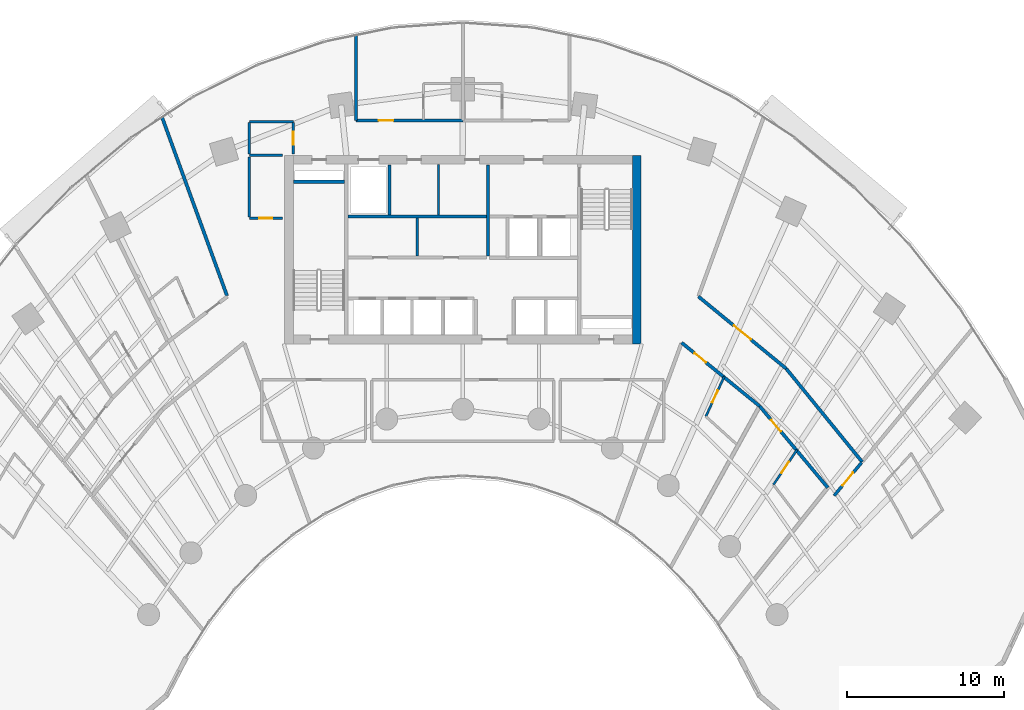
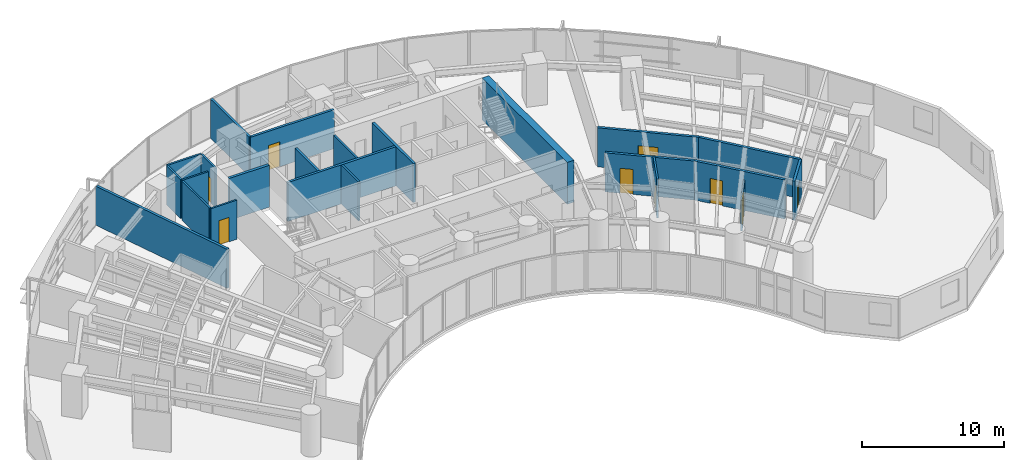
# One storey, part 13 of 17: 23 walls, 9 doors, 9 openings.
"""IFC4 building model written with IfcOpenShell, lengths in metres."""

from ifc_helpers import new_model, si_unit, direction, frame, frame_2d, origin, place, context, subcontext, project, spatial, rectangle, extrude, source, transform, mapped, material, layer, layer_set, type_object, type_shapes, element, fill, save


model = new_model("IFC4")

# Units and contexts
model_context = context("Model", 3, precision=1e-05, world=origin(), true_north=direction((0.0, 1.0)))
body_context = subcontext(model_context, "Body", "Model", "MODEL_VIEW")
ifc_project = project(units=[si_unit("LENGTHUNIT", "METRE"), si_unit("AREAUNIT", "SQUARE_METRE"), si_unit("VOLUMEUNIT", "CUBIC_METRE"), si_unit("PLANEANGLEUNIT", "RADIAN"), si_unit("MASSUNIT", "GRAM", prefix="KILO")], contexts=[model_context])

# Site, building, storey
site_placement = place(None, origin())
site = spatial("IfcSite", under=ifc_project, at=site_placement, CompositionType="ELEMENT")
building_placement = place(site_placement, origin())
building = spatial("IfcBuilding", under=site, at=building_placement, Name="Breltana Convention Tower", CompositionType="ELEMENT")
storey_placement = place(building_placement, frame((0.0, 0.0, 71.39990234375)))
storey = spatial("IfcBuildingStorey", under=building, at=storey_placement, Name="L16", CompositionType="ELEMENT", Elevation=71.39990234375)

# Walls
ifc_material_1 = material(Name="Concrete C60/75", Category="concrete")
ifc_layer_1 = layer(ifc_material_1, 0.550048828125, Name="Concrete C60/75")
ifc_layer_set_1 = layer_set([ifc_layer_1], Name="Concrete C60/75")
wall_type_1 = type_object("IfcWallType", Name="SW-CORE-550", PredefinedType="SHEAR", material=ifc_layer_set_1)
shared_shape_1 = source(origin(), body_context, "Body", "SweptSolid", [
    extrude(rectangle(XDim=12.0, YDim=0.550048828125, at=frame_2d((6.0, 0.0))), origin(), (0.0, 0.0, 1.0), 3.60009765625),
])
wall_1_placement = place(storey_placement, frame((59.074951171875, 60.199951171875, 0.0), z_axis=(0.0, 0.0, 1.0), x_axis=(0.0, 1.0, 0.0)))
element("IfcWall", 1, at=wall_1_placement, inside=storey, type_object=wall_type_1, Name="L16 East Core Shear Wall", PredefinedType="SHEAR", context=body_context, shape_type="MappedRepresentation", body=[
    mapped(shared_shape_1, transform((0.0, 0.0, 0.0), scale=1.0)),
])
ifc_material_2 = material(Name="Concrete C50/60", Category="concrete")
ifc_layer_2 = layer(ifc_material_2, 0.39990234375, Name="Concrete C50/60")
ifc_layer_set_2 = layer_set([ifc_layer_2], Name="Concrete C50/60")
wall_type_2 = type_object("IfcWallType", Name="SW-CORE-400", PredefinedType="SHEAR", material=ifc_layer_set_2)
shared_shape_2 = source(origin(), body_context, "Body", "SweptSolid", [
    extrude(rectangle(XDim=3.27001953125, YDim=0.219970703125, at=frame_2d((1.635009765625, 0.0))), origin(), (0.0, 0.0, 1.0), 3.60009765625),
])
wall_2_placement = place(storey_placement, frame((37.199951171875, 70.510009765625, 0.0), z_axis=(0.0, 0.0, 1.0), x_axis=(1.0, 0.0, 0.0)))
element("IfcWall", 2, at=wall_2_placement, inside=storey, type_object=wall_type_2, Name="L16 ST-1 Stairwell North Bearing Wall", PredefinedType="SHEAR", context=body_context, shape_type="MappedRepresentation", body=[
    mapped(shared_shape_2, transform((0.0, 0.0, 0.0), scale=1.0)),
])
ifc_material_3 = material(Name="Autoclaved Aerated Concrete Block", Category="concrete")
ifc_layer_3 = layer(ifc_material_3, 0.199951171875, Name="Autoclaved Aerated Concrete Block")
ifc_layer_set_3 = layer_set([ifc_layer_3], Name="Autoclaved Aerated Concrete Block")
wall_type_3 = type_object("IfcWallType", Name="WL-SHAFT-200", PredefinedType="SOLIDWALL", material=ifc_layer_set_3)
shared_shape_3 = source(origin(), body_context, "Body", "SweptSolid", [
    extrude(rectangle(XDim=5.800048828125, YDim=0.199951171875, at=frame_2d((2.89990234375, 0.0))), origin(), (0.0, 0.0, 1.0), 3.360107421875),
])
wall_3_placement = place(storey_placement, frame((49.60009765625, 65.800048828125, 0.0), z_axis=(0.0, 0.0, 1.0), x_axis=(0.0, 1.0, 0.0)))
element("IfcWall", 3, at=wall_3_placement, inside=storey, type_object=wall_type_3, Name="L16 interior partition W-L16-FFL-W", PredefinedType="SOLIDWALL", context=body_context, shape_type="MappedRepresentation", body=[
    mapped(shared_shape_3, transform((0.0, 0.0, 0.0), scale=1.0)),
])
shared_shape_4 = source(origin(), body_context, "Body", "SweptSolid", [
    extrude(rectangle(XDim=3.2001953125, YDim=0.199951171875, at=frame_2d((1.60009765625, 0.0))), origin(), (0.0, 0.0, 1.0), 3.360107421875),
])
wall_4_placement = place(storey_placement, frame((43.320068359375, 68.39990234375, 0.0), z_axis=(0.0, 0.0, 1.0), x_axis=(0.0, 1.0, 0.0)))
element("IfcWall", 4, at=wall_4_placement, inside=storey, type_object=wall_type_3, Name="L16 interior partition W-L16-SV-E", PredefinedType="SOLIDWALL", context=body_context, shape_type="MappedRepresentation", body=[
    mapped(shared_shape_4, transform((0.0, 0.0, 0.0), scale=1.0)),
])
shared_shape_5 = source(origin(), body_context, "Body", "SweptSolid", [
    extrude(rectangle(XDim=8.800048828125, YDim=0.199951171875, at=frame_2d((4.39990234375, 0.0))), origin(), (0.0, 0.0, 1.0), 3.360107421875),
])
wall_5_placement = place(storey_placement, frame((40.699951171875, 68.300048828125, 0.0), z_axis=(0.0, 0.0, 1.0), x_axis=(1.0, 0.0, 0.0)))
element("IfcWall", 5, at=wall_5_placement, inside=storey, type_object=wall_type_3, Name="L16 interior partition W-L16-SV-S", PredefinedType="SOLIDWALL", context=body_context, shape_type="MappedRepresentation", body=[
    mapped(shared_shape_5, transform((0.0, 0.0, 0.0), scale=1.0)),
])

# Wall, opening, door
ifc_material_4 = material(Name="Gypsum Acoustic Hotel Wall")
ifc_layer_4 = layer(ifc_material_4, 0.195068359375, Name="Gypsum Acoustic Hotel Wall")
ifc_layer_set_4 = layer_set([ifc_layer_4], Name="Gypsum Acoustic Hotel Wall")
wall_type_4 = type_object("IfcWallType", Name="WL-HOTEL-200", PredefinedType="PARTITIONING", material=ifc_layer_set_4)
shared_shape_6 = source(origin(), body_context, "Body", "SweptSolid", [
    extrude(rectangle(XDim=6.800048828125, YDim=0.195068359375, at=frame_2d((3.39990234375, 0.0))), origin(), (0.0, 0.0, 1.0), 3.360107421875),
])
type_shapes(wall_type_4, [shared_shape_6])
wall_6_placement = place(storey_placement, frame((41.199951171875, 74.419921875, 0.0), z_axis=(0.0, 0.0, 1.0), x_axis=(1.0, 0.0, 0.0)))
wall_6 = element("IfcWall", 6, at=wall_6_placement, inside=storey, type_object=wall_type_4, Name="L16 interior partition W-L16-GRN1-S", PredefinedType="PARTITIONING", context=body_context, shape_type="MappedRepresentation", body=[
    mapped(shared_shape_6, transform((0.0, 0.0, 0.0), scale=1.0)),
])
opening_1_placement = place(wall_6_placement, frame((1.428955078125, 0.0, 0.0)))
opening_1 = element("IfcOpeningElement", 7, at=opening_1_placement, cuts=wall_6, Name="Opening D-14", PredefinedType="OPENING", context=body_context, shape_type="SweptSolid", body=[
    extrude(rectangle(XDim=0.949951171875, YDim=2.14990234375, at=frame_2d((0.47509765625, 1.074951171875))), frame((0.0, 0.107421875, 0.0), z_axis=(0.0, -1.0, 0.0), x_axis=(1.0, 0.0, 0.0)), (0.0, 0.0, 1.0), 0.215087890625),
])
ifc_material_5 = material(Name="Timber Solid-Core Fire Door", Category="wood")
door_type_1 = type_object("IfcDoorType", Name="DR-FD60-950", OperationType="NOTDEFINED", PredefinedType="DOOR", material=ifc_material_5)
shared_shape_7 = source(origin(), body_context, "Body", "SweptSolid", [
    extrude(rectangle(XDim=0.949951171875, YDim=2.14990234375, at=frame_2d((0.47509765625, 1.074951171875))), frame((0.0, 0.02490234375, 0.0), z_axis=(0.0, -1.0, 0.0), x_axis=(1.0, 0.0, 0.0)), (0.0, 0.0, 1.0), 0.050048828125),
])
type_shapes(door_type_1, [shared_shape_7])
door_1_placement = place(opening_1_placement, origin())
door_1 = element("IfcDoor", 8, at=door_1_placement, inside=storey, type_object=door_type_1, Name="L16 interior door D-L16-GRN1", OperationType="SINGLE_SWING_LEFT", OverallHeight=2.14990234375, OverallWidth=0.949951171875, PredefinedType="DOOR", context=body_context, shape_type="MappedRepresentation", body=[
    mapped(shared_shape_7, transform((0.0, 0.0, 0.0), scale=1.0)),
])
fill(opening_1, door_1)

# Wall
shared_shape_8 = source(origin(), body_context, "Body", "SweptSolid", [
    extrude(rectangle(XDim=5.42626953125, YDim=0.195068359375, at=frame_2d((2.713134765625, 0.0))), origin(), (0.0, 0.0, 1.0), 3.360107421875),
])
wall_7_placement = place(storey_placement, frame((41.199951171875, 74.419921875, 0.0), z_axis=(0.0, 0.0, 1.0), x_axis=(0.0, 1.0, 0.0)))
element("IfcWall", 9, at=wall_7_placement, inside=storey, type_object=wall_type_4, Name="L16 interior partition W-L16-GRN1-SD", PredefinedType="PARTITIONING", context=body_context, shape_type="MappedRepresentation", body=[
    mapped(shared_shape_8, transform((0.0, 0.0, 0.0), scale=1.0)),
])

# Wall, opening, door
shared_shape_9 = source(origin(), body_context, "Body", "SweptSolid", [
    extrude(rectangle(XDim=2.748291015625, YDim=0.195068359375, at=frame_2d((1.3740234375, 0.0))), origin(), (0.0, 0.0, 1.0), 3.360107421875),
])
wall_8_placement = place(storey_placement, frame((71.64697265625, 50.531005859375, 0.0), z_axis=(0.0, 0.0, 1.0), x_axis=(0.638111168284, 0.769944242729, 0.0)))
wall_8 = element("IfcWall", 10, at=wall_8_placement, inside=storey, type_object=wall_type_4, Name="L16 interior partition W-L16-CS-E-END", PredefinedType="PARTITIONING", context=body_context, shape_type="MappedRepresentation", body=[
    mapped(shared_shape_9, transform((0.0, 0.0, 0.0), scale=1.0)),
])
opening_2_placement = place(wall_8_placement, frame((0.84912109375, 0.0, 0.0)))
opening_2 = element("IfcOpeningElement", 11, at=opening_2_placement, cuts=wall_8, Name="Opening D-13", PredefinedType="OPENING", context=body_context, shape_type="SweptSolid", body=[
    extrude(rectangle(XDim=1.050048828125, YDim=2.14990234375, at=frame_2d((0.52490234375, 1.074951171875))), frame((0.0, 0.107421875, 0.0), z_axis=(0.0, -1.0, 0.0), x_axis=(1.0, 0.0, 0.0)), (0.0, 0.0, 1.0), 0.215087890625),
])
door_type_2 = type_object("IfcDoorType", Name="DR-FD60-1050", OperationType="NOTDEFINED", PredefinedType="DOOR", material=ifc_material_5)
shared_shape_10 = source(origin(), body_context, "Body", "SweptSolid", [
    extrude(rectangle(XDim=1.050048828125, YDim=2.14990234375, at=frame_2d((0.52490234375, 1.074951171875))), frame((0.0, 0.02490234375, 0.0), z_axis=(0.0, -1.0, 0.0), x_axis=(1.0, 0.0, 0.0)), (0.0, 0.0, 1.0), 0.050048828125),
])
type_shapes(door_type_2, [shared_shape_10])
door_2_placement = place(opening_2_placement, origin())
door_2 = element("IfcDoor", 12, at=door_2_placement, inside=storey, type_object=door_type_2, Name="L16 interior door D-L16-CS-E", OperationType="SINGLE_SWING_LEFT", OverallHeight=2.14990234375, OverallWidth=1.050048828125, PredefinedType="DOOR", context=body_context, shape_type="MappedRepresentation", body=[
    mapped(shared_shape_10, transform((0.0, 0.0, 0.0), scale=1.0)),
])
fill(opening_2, door_2)

# Walls
ifc_material_6 = material(Name="Gypsum Acoustic Drywall Partition")
ifc_layer_5 = layer(ifc_material_6, 0.14990234375, Name="Gypsum Acoustic Drywall Partition")
ifc_layer_set_5 = layer_set([ifc_layer_5], Name="Gypsum Acoustic Drywall Partition")
wall_type_5 = type_object("IfcWallType", Name="WL-PART-150", PredefinedType="PARTITIONING", material=ifc_layer_set_5)
shared_shape_11 = source(origin(), body_context, "Body", "SweptSolid", [
    extrude(rectangle(XDim=3.22998046875, YDim=0.14990234375, at=frame_2d((1.614990234375, 0.0))), origin(), (0.0, 0.0, 1.0), 3.360107421875),
])
wall_9_placement = place(storey_placement, frame((46.449951171875, 68.39990234375, 0.0), z_axis=(0.0, 0.0, 1.0), x_axis=(0.0, 1.0, 0.0)))
element("IfcWall", 13, at=wall_9_placement, inside=storey, type_object=wall_type_5, Name="L16 interior partition W-L16-KV-1", PredefinedType="PARTITIONING", context=body_context, shape_type="MappedRepresentation", body=[
    mapped(shared_shape_11, transform((0.0, 0.0, 0.0), scale=1.0)),
])
shared_shape_12 = source(origin(), body_context, "Body", "SweptSolid", [
    extrude(rectangle(XDim=2.39990234375, YDim=0.14990234375, at=frame_2d((1.199951171875, 0.0))), origin(), (0.0, 0.0, 1.0), 3.360107421875),
])
wall_10_placement = place(storey_placement, frame((45.10009765625, 65.800048828125, 0.0), z_axis=(0.0, 0.0, 1.0), x_axis=(0.0, 1.0, 0.0)))
element("IfcWall", 14, at=wall_10_placement, inside=storey, type_object=wall_type_5, Name="L16 interior partition W-L16-LV7-B2-DIV", PredefinedType="PARTITIONING", context=body_context, shape_type="MappedRepresentation", body=[
    mapped(shared_shape_12, transform((0.0, 0.0, 0.0), scale=1.0)),
])
shared_shape_13 = source(origin(), body_context, "Body", "SweptSolid", [
    extrude(rectangle(XDim=2.10009765625, YDim=0.14990234375, at=frame_2d((1.050048828125, 0.0))), origin(), (0.0, 0.0, 1.0), 3.360107421875),
])
wall_11_placement = place(storey_placement, frame((34.39990234375, 72.219970703125, 0.0), z_axis=(0.0, 0.0, 1.0), x_axis=(1.0, 0.0, 0.0)))
element("IfcWall", 15, at=wall_11_placement, inside=storey, type_object=wall_type_5, Name="L16 interior partition W-L16-CRNW-S", PredefinedType="PARTITIONING", context=body_context, shape_type="MappedRepresentation", body=[
    mapped(shared_shape_13, transform((0.0, 0.0, 0.0), scale=1.0)),
])

# Wall, opening, door
wall_12_placement = place(storey_placement, frame((34.39990234375, 68.199951171875, 0.0), z_axis=(0.0, 0.0, 1.0), x_axis=(1.0, 0.0, 0.0)))
wall_12 = element("IfcWall", 16, at=wall_12_placement, inside=storey, type_object=wall_type_5, Name="L16 interior partition W-L16-CRSW-S", PredefinedType="PARTITIONING", context=body_context, shape_type="MappedRepresentation", body=[
    mapped(shared_shape_13, transform((0.0, 0.0, 0.0), scale=1.0)),
])
opening_3_placement = place(wall_12_placement, frame((0.625, 0.0, 0.0)))
opening_3 = element("IfcOpeningElement", 17, at=opening_3_placement, cuts=wall_12, Name="Opening D-20", PredefinedType="OPENING", context=body_context, shape_type="SweptSolid", body=[
    extrude(rectangle(XDim=0.85009765625, YDim=2.10009765625, at=frame_2d((0.425048828125, 1.050048828125))), frame((0.0, 0.0849609375, 0.0), z_axis=(0.0, -1.0, 0.0), x_axis=(1.0, 0.0, 0.0)), (0.0, 0.0, 1.0), 0.169921875),
])
ifc_material_7 = material(Name="Steel Closet Fire Door", Category="steel")
door_type_3 = type_object("IfcDoorType", Name="DR-FD60-850", OperationType="NOTDEFINED", PredefinedType="DOOR", material=ifc_material_7)
shared_shape_14 = source(origin(), body_context, "Body", "SweptSolid", [
    extrude(rectangle(XDim=0.85009765625, YDim=2.10009765625, at=frame_2d((0.425048828125, 1.050048828125))), frame((0.0, 0.02490234375, 0.0), z_axis=(0.0, -1.0, 0.0), x_axis=(1.0, 0.0, 0.0)), (0.0, 0.0, 1.0), 0.050048828125),
])
type_shapes(door_type_3, [shared_shape_14])
door_3_placement = place(opening_3_placement, origin())
door_3 = element("IfcDoor", 18, at=door_3_placement, inside=storey, type_object=door_type_3, Name="L16 interior door D-L16-CRSW", OperationType="SINGLE_SWING_LEFT", OverallHeight=2.10009765625, OverallWidth=0.85009765625, PredefinedType="DOOR", context=body_context, shape_type="MappedRepresentation", body=[
    mapped(shared_shape_14, transform((0.0, 0.0, 0.0), scale=1.0)),
])
fill(opening_3, door_3)

# Walls
shared_shape_15 = source(origin(), body_context, "Body", "SweptSolid", [
    extrude(rectangle(XDim=2.800048828125, YDim=0.14990234375, at=frame_2d((1.39990234375, 0.0))), origin(), (0.0, 0.0, 1.0), 3.360107421875),
])
wall_13_placement = place(storey_placement, frame((34.39990234375, 74.35009765625, 0.0), z_axis=(0.0, 0.0, 1.0), x_axis=(1.0, 0.0, 0.0)))
element("IfcWall", 19, at=wall_13_placement, inside=storey, type_object=wall_type_5, Name="L16 interior partition W-L16-CRNW-N", PredefinedType="PARTITIONING", context=body_context, shape_type="MappedRepresentation", body=[
    mapped(shared_shape_15, transform((0.0, 0.0, 0.0), scale=1.0)),
])
shared_shape_16 = source(origin(), body_context, "Body", "SweptSolid", [
    extrude(rectangle(XDim=1.994873046875, YDim=0.14990234375, at=frame_2d((0.99755859375, 0.0))), origin(), (0.0, 0.0, 1.0), 3.360107421875),
])
wall_14_placement = place(storey_placement, frame((34.39990234375, 72.28759765625, 0.0), z_axis=(0.0, 0.0, 1.0), x_axis=(0.0, 1.0, 0.0)))
element("IfcWall", 20, at=wall_14_placement, inside=storey, type_object=wall_type_5, Name="L16 interior partition W-L16-CRNW-W", PredefinedType="PARTITIONING", context=body_context, shape_type="MappedRepresentation", body=[
    mapped(shared_shape_16, transform((0.0, 0.0, 0.0), scale=1.0)),
])

# Wall, opening, door
shared_shape_17 = source(origin(), body_context, "Body", "SweptSolid", [
    extrude(rectangle(XDim=1.982421875, YDim=0.14990234375, at=frame_2d((0.9912109375, 0.0))), origin(), (0.0, 0.0, 1.0), 3.360107421875),
])
wall_15_placement = place(storey_placement, frame((37.199951171875, 72.300048828125, 0.0), z_axis=(0.0, 0.0, 1.0), x_axis=(0.0, 1.0, 0.0)))
wall_15 = element("IfcWall", 21, at=wall_15_placement, inside=storey, type_object=wall_type_5, Name="L16 interior partition W-L16-CRNW-E", PredefinedType="PARTITIONING", context=body_context, shape_type="MappedRepresentation", body=[
    mapped(shared_shape_17, transform((0.0, 0.0, 0.0), scale=1.0)),
])
opening_4_placement = place(wall_15_placement, frame((0.56640625, 0.0, 0.0)))
opening_4 = element("IfcOpeningElement", 22, at=opening_4_placement, cuts=wall_15, Name="Opening D-20", PredefinedType="OPENING", context=body_context, shape_type="SweptSolid", body=[
    extrude(rectangle(XDim=0.85009765625, YDim=2.10009765625, at=frame_2d((0.425048828125, 1.050048828125))), frame((0.0, 0.0849609375, 0.0), z_axis=(0.0, -1.0, 0.0), x_axis=(1.0, 0.0, 0.0)), (0.0, 0.0, 1.0), 0.169921875),
])
door_4_placement = place(opening_4_placement, origin())
door_4 = element("IfcDoor", 23, at=door_4_placement, inside=storey, type_object=door_type_3, Name="L16 interior door D-L16-CRNW", OperationType="SINGLE_SWING_RIGHT", OverallHeight=2.10009765625, OverallWidth=0.85009765625, PredefinedType="DOOR", context=body_context, shape_type="MappedRepresentation", body=[
    mapped(shared_shape_14, transform((0.0, 0.0, 0.0), scale=1.0)),
])
fill(opening_4, door_4)

# Wall
shared_shape_18 = source(origin(), body_context, "Body", "SweptSolid", [
    extrude(rectangle(XDim=3.844970703125, YDim=0.14990234375, at=frame_2d((1.92236328125, 0.0))), origin(), (0.0, 0.0, 1.0), 3.360107421875),
])
wall_16_placement = place(storey_placement, frame((34.39990234375, 68.267578125, 0.0), z_axis=(0.0, 0.0, 1.0), x_axis=(0.0, 1.0, 0.0)))
element("IfcWall", 24, at=wall_16_placement, inside=storey, type_object=wall_type_5, Name="L16 interior partition W-L16-CRSW-W", PredefinedType="PARTITIONING", context=body_context, shape_type="MappedRepresentation", body=[
    mapped(shared_shape_18, transform((0.0, 0.0, 0.0), scale=1.0)),
])

# Wall, opening, door
ifc_material_8 = material(Name="Moisture-Resistant En-Suite Partition")
ifc_layer_6 = layer(ifc_material_8, 0.139892578125, Name="Moisture-Resistant En-Suite Partition")
ifc_layer_set_6 = layer_set([ifc_layer_6], Name="Moisture-Resistant En-Suite Partition")
wall_type_6 = type_object("IfcWallType", Name="WL-WET-150", PredefinedType="PARTITIONING", material=ifc_layer_set_6)
shared_shape_19 = source(origin(), body_context, "Body", "SweptSolid", [
    extrude(rectangle(XDim=2.6728515625, YDim=0.139892578125, at=frame_2d((1.33642578125, 0.0))), origin(), (0.0, 0.0, 1.0), 2.64404296875),
])
wall_17_placement = place(storey_placement, frame((67.7822265625, 51.234375, 0.0), z_axis=(0.0, 0.0, 1.0), x_axis=(0.560399679065, 0.828222312972, 0.0)))
wall_17 = element("IfcWall", 25, at=wall_17_placement, inside=storey, type_object=wall_type_6, Name="L16 interior partition W-L16-ST05E-SD", PredefinedType="PARTITIONING", context=body_context, shape_type="MappedRepresentation", body=[
    mapped(shared_shape_19, transform((0.0, 0.0, 0.0), scale=1.0)),
])
opening_5_placement = place(wall_17_placement, frame((0.911376953125, 0.0, 0.0)))
opening_5 = element("IfcOpeningElement", 26, at=opening_5_placement, cuts=wall_17, Name="Opening D-21", PredefinedType="OPENING", context=body_context, shape_type="SweptSolid", body=[
    extrude(rectangle(XDim=0.85009765625, YDim=2.050048828125, at=frame_2d((0.425048828125, 1.02490234375))), frame((0.0, 0.080078125, 0.0), z_axis=(0.0, -1.0, 0.0), x_axis=(1.0, 0.0, 0.0)), (0.0, 0.0, 1.0), 0.159912109375),
])
ifc_material_9 = material(Name="Timber Moisture-Resistant En-Suite Door", Category="wood")
door_type_4 = type_object("IfcDoorType", Name="DR-WET-850", OperationType="NOTDEFINED", PredefinedType="DOOR", material=ifc_material_9)
shared_shape_20 = source(origin(), body_context, "Body", "SweptSolid", [
    extrude(rectangle(XDim=0.85009765625, YDim=2.050048828125, at=frame_2d((0.425048828125, 1.02490234375))), frame((0.0, 0.02490234375, 0.0), z_axis=(0.0, -1.0, 0.0), x_axis=(1.0, 0.0, 0.0)), (0.0, 0.0, 1.0), 0.050048828125),
])
type_shapes(door_type_4, [shared_shape_20])
door_5_placement = place(opening_5_placement, origin())
door_5 = element("IfcDoor", 27, at=door_5_placement, inside=storey, type_object=door_type_4, Name="L16 interior door D-L16-ST05E", OperationType="SINGLE_SWING_RIGHT", OverallHeight=2.050048828125, OverallWidth=0.85009765625, PredefinedType="DOOR", context=body_context, shape_type="MappedRepresentation", body=[
    mapped(shared_shape_20, transform((0.0, 0.0, 0.0), scale=1.0)),
])
fill(opening_5, door_5)

ifc_material_10 = material(Name="Autoclaved Aerated Masonry Blockwork", Category="masonry")
ifc_layer_7 = layer(ifc_material_10, 0.2099609375, Name="Autoclaved Aerated Masonry Blockwork")
ifc_layer_set_7 = layer_set([ifc_layer_7], Name="Autoclaved Aerated Masonry Blockwork")
wall_type_7 = type_object("IfcWallType", Name="WL-PART-200", PredefinedType="PARTITIONING", material=ifc_layer_set_7)
shared_shape_21 = source(origin(), body_context, "Body", "SweptSolid", [
    extrude(rectangle(XDim=7.23681640625, YDim=0.2099609375, at=frame_2d((3.618408203125, 0.0))), origin(), (0.0, 0.0, 1.0), 3.360107421875),
])
wall_18_placement = place(storey_placement, frame((63.001220703125, 63.214111328125, 0.0), z_axis=(0.0, 0.0, 1.0), x_axis=(0.772813707793, -0.634632943557, 0.0)))
wall_18 = element("IfcWall", 28, at=wall_18_placement, inside=storey, type_object=wall_type_7, Name="L16 interior partition W-L16-H3OE-COR1", PredefinedType="PARTITIONING", context=body_context, shape_type="MappedRepresentation", body=[
    mapped(shared_shape_21, transform((0.0, 0.0, 0.0), scale=1.0)),
])
opening_6_placement = place(wall_18_placement, frame((2.91845703125, 0.0, 0.0)))
opening_6 = element("IfcOpeningElement", 29, at=opening_6_placement, cuts=wall_18, Name="Opening D-05", PredefinedType="OPENING", context=body_context, shape_type="SweptSolid", body=[
    extrude(rectangle(XDim=1.39990234375, YDim=2.14990234375, at=frame_2d((0.699951171875, 1.074951171875))), frame((0.0, 0.114990234375, 0.0), z_axis=(0.0, -1.0, 0.0), x_axis=(1.0, 0.0, 0.0)), (0.0, 0.0, 1.0), 0.22998046875),
])
ifc_material_11 = material(Name="Timber Veneer Glazed Double Door", Category="wood")
door_type_5 = type_object("IfcDoorType", Name="DR-DBL-1400", OperationType="DOUBLE_DOOR_SINGLE_SWING", PredefinedType="DOOR", material=ifc_material_11)
shared_shape_22 = source(origin(), body_context, "Body", "SweptSolid", [
    extrude(rectangle(XDim=1.39990234375, YDim=2.14990234375, at=frame_2d((0.699951171875, 1.074951171875))), frame((0.0, 0.02490234375, 0.0), z_axis=(0.0, -1.0, 0.0), x_axis=(1.0, 0.0, 0.0)), (0.0, 0.0, 1.0), 0.050048828125),
])
type_shapes(door_type_5, [shared_shape_22])
door_6_placement = place(opening_6_placement, origin())
door_6 = element("IfcDoor", 30, at=door_6_placement, inside=storey, type_object=door_type_5, Name="L16 interior door D-L16-H3OE", OperationType="SINGLE_SWING_RIGHT", OverallHeight=2.14990234375, OverallWidth=1.39990234375, PredefinedType="DOOR", context=body_context, shape_type="MappedRepresentation", body=[
    mapped(shared_shape_22, transform((0.0, 0.0, 0.0), scale=1.0)),
])
fill(opening_6, door_6)

# Walls
shared_shape_23 = source(origin(), body_context, "Body", "SweptSolid", [
    extrude(rectangle(XDim=7.65869140625, YDim=0.2099609375, at=frame_2d((3.829345703125, 0.0))), origin(), (0.0, 0.0, 1.0), 3.360107421875),
])
wall_19_placement = place(storey_placement, frame((68.593994140625, 58.621337890625, 0.0), z_axis=(0.0, 0.0, 1.0), x_axis=(0.631489868862, -0.775384127723, 0.0)))
element("IfcWall", 31, at=wall_19_placement, inside=storey, type_object=wall_type_7, Name="L16 interior partition W-L16-H3OE-COR2", PredefinedType="PARTITIONING", context=body_context, shape_type="MappedRepresentation", body=[
    mapped(shared_shape_23, transform((0.0, 0.0, 0.0), scale=1.0)),
])
shared_shape_24 = source(origin(), body_context, "Body", "SweptSolid", [
    extrude(rectangle(XDim=12.088134765625, YDim=0.2099609375, at=frame_2d((6.0439453125, 0.0))), origin(), (0.0, 0.0, 1.0), 3.360107421875),
])
wall_20_placement = place(storey_placement, frame((32.9814453125, 63.26220703125, 0.0), z_axis=(0.0, 0.0, 1.0), x_axis=(-0.34203007529, 0.939689005787, 0.0)))
element("IfcWall", 32, at=wall_20_placement, inside=storey, type_object=wall_type_7, Name="L16 interior partition W-L16-ST03-RB", PredefinedType="PARTITIONING", context=body_context, shape_type="MappedRepresentation", body=[
    mapped(shared_shape_24, transform((0.0, 0.0, 0.0), scale=1.0)),
])

# Wall, opening, door
shared_shape_25 = source(origin(), body_context, "Body", "SweptSolid", [
    extrude(rectangle(XDim=6.408447265625, YDim=0.2099609375, at=frame_2d((3.2041015625, 0.0))), origin(), (0.0, 0.0, 1.0), 3.360107421875),
])
wall_21_placement = place(storey_placement, frame((61.931396484375, 60.275390625, 0.0), z_axis=(0.0, 0.0, 1.0), x_axis=(0.775878552904, -0.630882295792, 0.0)))
wall_21 = element("IfcWall", 33, at=wall_21_placement, inside=storey, type_object=wall_type_7, Name="L16 interior partition W-L16-ST04-COR", PredefinedType="PARTITIONING", context=body_context, shape_type="MappedRepresentation", body=[
    mapped(shared_shape_25, transform((0.0, 0.0, 0.0), scale=1.0)),
])
opening_7_placement = place(wall_21_placement, frame((1.06298828125, 0.0, 0.0)))
opening_7 = element("IfcOpeningElement", 34, at=opening_7_placement, cuts=wall_21, Name="Opening D-14", PredefinedType="OPENING", context=body_context, shape_type="SweptSolid", body=[
    extrude(rectangle(XDim=0.949951171875, YDim=2.14990234375, at=frame_2d((0.47509765625, 1.074951171875))), frame((0.0, 0.114990234375, 0.0), z_axis=(0.0, -1.0, 0.0), x_axis=(1.0, 0.0, 0.0)), (0.0, 0.0, 1.0), 0.22998046875),
])
door_7_placement = place(opening_7_placement, origin())
door_7 = element("IfcDoor", 35, at=door_7_placement, inside=storey, type_object=door_type_1, Name="L16 interior door D-L16-ST04", OperationType="SINGLE_SWING_LEFT", OverallHeight=2.14990234375, OverallWidth=0.949951171875, PredefinedType="DOOR", context=body_context, shape_type="MappedRepresentation", body=[
    mapped(shared_shape_7, transform((0.0, 0.0, 0.0), scale=1.0)),
])
fill(opening_7, door_7)

shared_shape_26 = source(origin(), body_context, "Body", "SweptSolid", [
    extrude(rectangle(XDim=2.79931640625, YDim=0.139892578125, at=frame_2d((1.399658203125, 0.0))), origin(), (0.0, 0.0, 1.0), 3.360107421875),
])
wall_22_placement = place(storey_placement, frame((63.47509765625, 55.57568359375, 0.0), z_axis=(0.0, 0.0, 1.0), x_axis=(0.418626740412, 0.908158384981, 0.0)))
wall_22 = element("IfcWall", 36, at=wall_22_placement, inside=storey, type_object=wall_type_6, Name="L16 interior partition W-L16-ST04E-SD", PredefinedType="PARTITIONING", context=body_context, shape_type="MappedRepresentation", body=[
    mapped(shared_shape_26, transform((0.0, 0.0, 0.0), scale=1.0)),
])
opening_8_placement = place(wall_22_placement, frame((0.974609375, 0.0, 0.0)))
opening_8 = element("IfcOpeningElement", 37, at=opening_8_placement, cuts=wall_22, Name="Opening D-21", PredefinedType="OPENING", context=body_context, shape_type="SweptSolid", body=[
    extrude(rectangle(XDim=0.85009765625, YDim=2.050048828125, at=frame_2d((0.425048828125, 1.02490234375))), frame((0.0, 0.080078125, 0.0), z_axis=(0.0, -1.0, 0.0), x_axis=(1.0, 0.0, 0.0)), (0.0, 0.0, 1.0), 0.159912109375),
])
door_8_placement = place(opening_8_placement, origin())
door_8 = element("IfcDoor", 38, at=door_8_placement, inside=storey, type_object=door_type_4, Name="L16 interior door D-L16-ST04E", OperationType="SINGLE_SWING_RIGHT", OverallHeight=2.050048828125, OverallWidth=0.85009765625, PredefinedType="DOOR", context=body_context, shape_type="MappedRepresentation", body=[
    mapped(shared_shape_20, transform((0.0, 0.0, 0.0), scale=1.0)),
])
fill(opening_8, door_8)

shared_shape_27 = source(origin(), body_context, "Body", "SweptSolid", [
    extrude(rectangle(XDim=6.764404296875, YDim=0.2099609375, at=frame_2d((3.38232421875, 0.0))), origin(), (0.0, 0.0, 1.0), 3.360107421875),
])
wall_23_placement = place(storey_placement, frame((66.903564453125, 56.232421875, 0.0), z_axis=(0.0, 0.0, 1.0), x_axis=(0.641433176235, -0.767178910311, 0.0)))
wall_23 = element("IfcWall", 39, at=wall_23_placement, inside=storey, type_object=wall_type_7, Name="L16 interior partition W-L16-ST05-COR", PredefinedType="PARTITIONING", context=body_context, shape_type="MappedRepresentation", body=[
    mapped(shared_shape_27, transform((0.0, 0.0, 0.0), scale=1.0)),
])
opening_9_placement = place(wall_23_placement, frame((1.1484375, 0.0, 0.0)))
opening_9 = element("IfcOpeningElement", 40, at=opening_9_placement, cuts=wall_23, Name="Opening D-14", PredefinedType="OPENING", context=body_context, shape_type="SweptSolid", body=[
    extrude(rectangle(XDim=0.949951171875, YDim=2.14990234375, at=frame_2d((0.47509765625, 1.074951171875))), frame((0.0, 0.114990234375, 0.0), z_axis=(0.0, -1.0, 0.0), x_axis=(1.0, 0.0, 0.0)), (0.0, 0.0, 1.0), 0.22998046875),
])
door_9_placement = place(opening_9_placement, origin())
door_9 = element("IfcDoor", 41, at=door_9_placement, inside=storey, type_object=door_type_1, Name="L16 interior door D-L16-ST05", OperationType="SINGLE_SWING_LEFT", OverallHeight=2.14990234375, OverallWidth=0.949951171875, PredefinedType="DOOR", context=body_context, shape_type="MappedRepresentation", body=[
    mapped(shared_shape_7, transform((0.0, 0.0, 0.0), scale=1.0)),
])
fill(opening_9, door_9)

save(model, "model.ifc")
